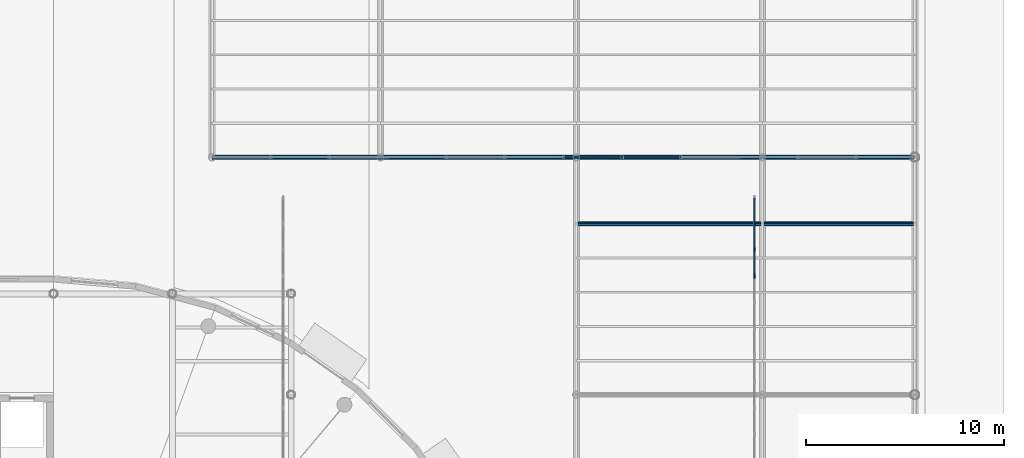
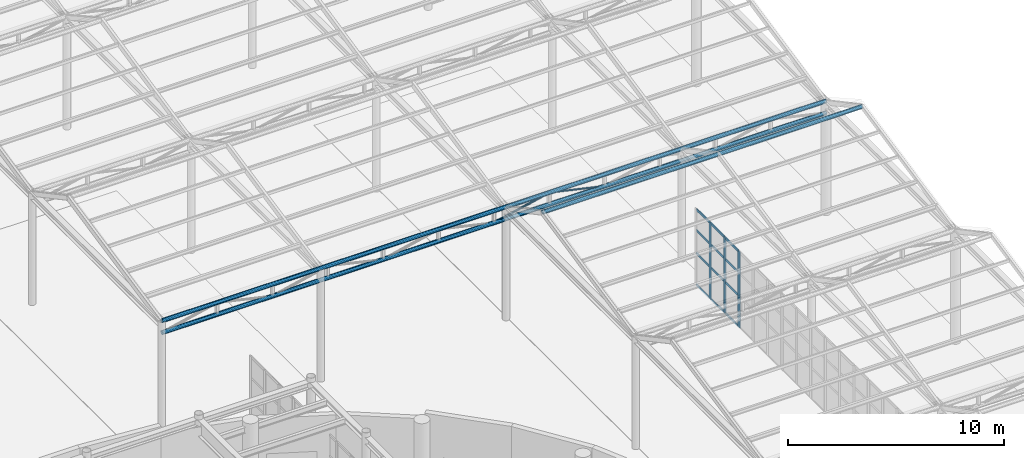
# One storey, part 46 of 118: 21 members, 2 elements without a shape of their own.
"""IFC4 building model written with IfcOpenShell, lengths in metres."""

import ifcopenshell
import ifcopenshell.guid

model = None  # the IFC model being written
_history = None  # IfcOwnerHistory: only IFC2X3 demands one
_inside = {}  # id of a spatial element -> (the spatial element, [elements in it])
_under = {}  # id of a project, library or spatial element -> (it, [spatial elements below it])
_declared = {}  # id of a project -> (the project, [libraries it declares])
_typed = {}  # id of a type object -> (the type object, [elements of that type])
_made_of = {}  # id of a material, layer set ... -> (it, [elements and type objects made of it])


def new_model(schema):
    """Start an empty IFC model of exactly this schema.

    Asked for "IFC4X3", IfcOpenShell would pick the latest addendum, in which some entities
    have other attributes; the version numbers below select the first issue.
    IFC2X3 requires an IfcOwnerHistory on every rooted entity: one is made here for all.
    """
    global model, _history
    if schema == "IFC4X3":
        model = ifcopenshell.file(schema_version=(4, 3, 0, 0))
    else:
        model = ifcopenshell.file(schema=schema)
    _inside.clear()
    _under.clear()
    _declared.clear()
    _typed.clear()
    _made_of.clear()
    _history = None
    if model.schema == "IFC2X3":
        org = make("IfcOrganization", Name="unknown")
        user = make(
            "IfcPersonAndOrganization",
            ThePerson=make("IfcPerson", FamilyName="unknown"),
            TheOrganization=org,
        )
        app = make(
            "IfcApplication",
            ApplicationDeveloper=org,
            Version="unknown",
            ApplicationFullName="unknown",
            ApplicationIdentifier="unknown",
        )
        _history = make(
            "IfcOwnerHistory",
            OwningUser=user,
            OwningApplication=app,
            ChangeAction="ADDED",
            CreationDate=0,
        )
    return model


def make(cls, **values):
    """One entity of the class cls with the attributes given. An attribute that is None is left unset."""
    return model.create_entity(
        cls, **{name: value for name, value in values.items() if value is not None}
    )


def rooted(cls, **values):
    """An entity with a GlobalId (a new one), such as an element, a storey or a relation."""
    return make(cls, GlobalId=ifcopenshell.guid.new(), OwnerHistory=_history, **values)


def si_unit(unit_type, name, prefix=None):
    """IfcSIUnit, for example si_unit("LENGTHUNIT", "METRE", prefix="MILLI")."""
    return make("IfcSIUnit", UnitType=unit_type, Prefix=prefix, Name=name)


def assignment(units):
    """IfcUnitAssignment: the units of a project."""
    return None if units is None else make("IfcUnitAssignment", Units=units)


def point(xyz):
    """IfcCartesianPoint."""
    return None if xyz is None else make("IfcCartesianPoint", Coordinates=xyz)


def direction(xyz):
    """IfcDirection."""
    return None if xyz is None else make("IfcDirection", DirectionRatios=xyz)


def frame(location, z_axis=None, x_axis=None):
    """IfcAxis2Placement3D, a coordinate frame: its origin and axes. An axis left out is left unset."""
    return make(
        "IfcAxis2Placement3D",
        Location=point(location),
        Axis=direction(z_axis),
        RefDirection=direction(x_axis),
    )


def frame_2d(location, x_axis=None):
    """IfcAxis2Placement2D, a coordinate frame in the plane: its origin and x axis."""
    return make(
        "IfcAxis2Placement2D", Location=point(location), RefDirection=direction(x_axis)
    )


def origin():
    """The frame at (0, 0, 0) with its axes left unset."""
    return frame((0.0, 0.0, 0.0))


def origin_2d():
    """The frame at (0, 0) in the plane with its x axis left unset."""
    return frame_2d((0.0, 0.0))


def place(relative_to, where):
    """IfcLocalPlacement: puts the frame where relative to a parent placement (None: the world)."""
    return make(
        "IfcLocalPlacement", PlacementRelTo=relative_to, RelativePlacement=where
    )


def context(
    kind, dimensions, precision=None, world=None, true_north=None, identifier=None
):
    """IfcGeometricRepresentationContext, for example the 3D "Model" context."""
    return make(
        "IfcGeometricRepresentationContext",
        ContextIdentifier=identifier,
        ContextType=kind,
        CoordinateSpaceDimension=dimensions,
        Precision=precision,
        WorldCoordinateSystem=world,
        TrueNorth=true_north,
    )


def subcontext(parent, identifier, kind, view, scale=None):
    """IfcGeometricRepresentationSubContext, for example "Body" below "Model"."""
    return make(
        "IfcGeometricRepresentationSubContext",
        ContextIdentifier=identifier,
        ContextType=kind,
        ParentContext=parent,
        TargetScale=scale,
        TargetView=view,
    )


def project(units=None, contexts=None):
    """IfcProject with its units and contexts."""
    return rooted(
        "IfcProject",
        Name="project",
        RepresentationContexts=contexts,
        UnitsInContext=assignment(units),
    )


def spatial(cls, under=None, at=None, **own):
    """A site, building, storey or space (cls), placed at a placement, below another one or the project."""
    s = rooted(cls, ObjectPlacement=at, **own)
    if under is not None:
        _under.setdefault(under.id(), (under, []))[1].append(s)
    return s


def profile(cls, at=None, kind="AREA", **sizes):
    """A parametric profile (cls). Its sizes go by their IFC names, for example OverallWidth=200.0."""
    return make(cls, ProfileType=kind, Position=at, **sizes)


def rectangle(**sizes):
    """IfcRectangleProfileDef."""
    return profile("IfcRectangleProfileDef", **sizes)


def hollow_circle(**sizes):
    """IfcCircleHollowProfileDef."""
    return profile("IfcCircleHollowProfileDef", **sizes)


def extrude(swept, where, along, depth):
    """IfcExtrudedAreaSolid: the profile swept, set in the frame where, extruded along a direction by depth."""
    return make(
        "IfcExtrudedAreaSolid",
        SweptArea=swept,
        Position=where,
        ExtrudedDirection=direction(along),
        Depth=depth,
    )


def shape(context_of_items, identifier, shape_type, items):
    """IfcShapeRepresentation: the items that make up one representation, for example the "Body"."""
    return make(
        "IfcShapeRepresentation",
        ContextOfItems=context_of_items,
        RepresentationIdentifier=identifier,
        RepresentationType=shape_type,
        Items=items,
    )


def material(Name=None, Category=None):
    """IfcMaterial."""
    return make("IfcMaterial", Name=Name, Category=Category)


def material_profile(
    of_material, cross_section, Name=None, Category=None, Priority=None
):
    """IfcMaterialProfile: a cross section and its material."""
    return make(
        "IfcMaterialProfile",
        Name=Name,
        Material=of_material,
        Profile=cross_section,
        Priority=Priority,
        Category=Category,
    )


def profile_set(profiles, Name=None, composite=None):
    """IfcMaterialProfileSet."""
    return make(
        "IfcMaterialProfileSet",
        Name=Name,
        MaterialProfiles=profiles,
        CompositeProfile=composite,
    )


def made_of(thing, what):
    """Note that an element or type object is made of a material, layer set ...; save() writes the relation."""
    if what is not None:
        _made_of.setdefault(what.id(), (what, []))[1].append(thing)
    return thing


def type_object(cls, material=None, **own):
    """A type object (cls), such as IfcWallType, which elements share."""
    return made_of(rooted(cls, **own), material)


def element(
    cls,
    number,
    at=None,
    inside=None,
    cuts=None,
    type_object=None,
    material=None,
    context=None,
    identifier="Body",
    shape_type=None,
    held_by="IfcProductDefinitionShape",
    body=None,
    shapes=None,
    **own,
):
    """One element of the class cls, such as IfcWall. Its Tag is "e" and its number.

    at: its placement. inside: the storey or other place that contains it. cuts: it is an
    opening in that element (IfcRelVoidsElement). A single representation is given by context,
    identifier, shape_type and body (its items); several are given by shapes. held_by: the class
    of the entity that holds the representations. save() writes the other relations.
    """
    e = rooted(cls, Tag="e%d" % number, ObjectPlacement=at, **own)
    if body is not None:
        shapes = [shape(context, identifier, shape_type, body)]
    if shapes is not None:
        e.Representation = make(held_by, Representations=shapes)
    if inside is not None:
        _inside.setdefault(inside.id(), (inside, []))[1].append(e)
    if cuts is not None:
        rooted(
            "IfcRelVoidsElement", RelatingBuildingElement=cuts, RelatedOpeningElement=e
        )
    if type_object is not None:
        _typed.setdefault(type_object.id(), (type_object, []))[1].append(e)
    return made_of(e, material)


def aggregate(whole, parts):
    """IfcRelAggregates: a whole, such as a stair, and the parts it consists of."""
    return rooted("IfcRelAggregates", RelatingObject=whole, RelatedObjects=parts)


def save(model, path):
    """Write the relations noted so far, then the file.

    IfcRelAggregates (storeys below a building ...), IfcRelContainedInSpatialStructure (elements
    in a storey), IfcRelDefinesByType, IfcRelAssociatesMaterial and IfcRelDeclares: one each for
    every whole, place, type object, material and project.
    """
    for whole, parts in _under.values():
        aggregate(whole, parts)
    for where, things in _inside.values():
        rooted(
            "IfcRelContainedInSpatialStructure",
            RelatedElements=things,
            RelatingStructure=where,
        )
    for kind, things in _typed.values():
        rooted("IfcRelDefinesByType", RelatedObjects=things, RelatingType=kind)
    for what, things in _made_of.values():
        rooted("IfcRelAssociatesMaterial", RelatedObjects=things, RelatingMaterial=what)
    for by, libraries in _declared.values():
        rooted("IfcRelDeclares", RelatingContext=by, RelatedDefinitions=libraries)
    model.write(path)


model = new_model("IFC4")

# Units and contexts
model_context = context("Model", 3, precision=1e-05, world=origin(), true_north=direction((0.0, 1.0)))
body_context = subcontext(model_context, "Body", "Model", "MODEL_VIEW")
ifc_project = project(units=[si_unit("LENGTHUNIT", "METRE"), si_unit("AREAUNIT", "SQUARE_METRE"), si_unit("VOLUMEUNIT", "CUBIC_METRE"), si_unit("PLANEANGLEUNIT", "RADIAN"), si_unit("MASSUNIT", "GRAM", prefix="KILO")], contexts=[model_context])

# Site, building, storey
site_placement = place(None, origin())
site = spatial("IfcSite", under=ifc_project, at=site_placement, CompositionType="ELEMENT")
building_placement = place(site_placement, origin())
building = spatial("IfcBuilding", under=site, at=building_placement, Name="Kolvaren Corner Interchange", CompositionType="ELEMENT")
storey_placement = place(building_placement, origin())
storey = spatial("IfcBuildingStorey", under=building, at=storey_placement, Name="L01", CompositionType="ELEMENT", Elevation=0.0)

# Members
ifc_material_1 = material(Name="Steel S355", Category="steel")
ifc_material_profile_1 = material_profile(ifc_material_1, hollow_circle(Radius=0.05712890625, WallThickness=0.00634765625, at=origin_2d()), Name="CHS 114.3x6.3")
ifc_profile_set_1 = profile_set([ifc_material_profile_1], Name="Steel S355")
member_type_1 = type_object("IfcMemberType", Name="MEM-BR-CHS114", PredefinedType="BRACE", material=ifc_profile_set_1)
member_1_placement = place(storey_placement, frame((145.75, 78.0, 5.64990234375), z_axis=(0.97528679841, 0.0, 0.220942664161), x_axis=(0.0, 1.0, 0.0)))
element("IfcMember", 1, at=member_1_placement, inside=storey, type_object=member_type_1, Name="Bus Canopy Sawtooth Roof Truss 04 Web Diagonal 07", PredefinedType="BRACE", context=body_context, shape_type="SweptSolid", body=[
    extrude(hollow_circle(Radius=0.05712890625, WallThickness=0.00634765625, at=origin_2d()), origin(), (0.0, 0.0, 1.0), 3.033203125),
])
ifc_material_2 = material(Name="Steel S355", Category="steel")
ifc_material_profile_2 = material_profile(ifc_material_2, hollow_circle(Radius=0.04443359375, WallThickness=0.0048828125, at=origin_2d()), Name="CHS 88.9x5.0")
ifc_profile_set_2 = profile_set([ifc_material_profile_2], Name="Steel S355")
member_type_2 = type_object("IfcMemberType", Name="MEM-BR-CHS89", PredefinedType="BRACE", material=ifc_profile_set_2)
member_2_placement = place(storey_placement, frame((148.708251953125, 78.0, 6.320068359375), z_axis=(0.975290727078, 0.0, -0.220925321491), x_axis=(0.0, 1.0, 0.0)))
element("IfcMember", 2, at=member_2_placement, inside=storey, type_object=member_type_2, Name="Bus Canopy Sawtooth Roof Truss 04 Web Diagonal 08", PredefinedType="BRACE", context=body_context, shape_type="SweptSolid", body=[
    extrude(hollow_circle(Radius=0.04443359375, WallThickness=0.0048828125, at=origin_2d()), origin(), (0.0, 0.0, 1.0), 3.033447265625),
])
ifc_material_3 = material(Name="Steel S355", Category="steel")
ifc_material_profile_3 = material_profile(ifc_material_3, hollow_circle(Radius=0.109619140625, WallThickness=0.010009765625, at=origin_2d()), Name="CHS 219.1x10.0")
ifc_profile_set_3 = profile_set([ifc_material_profile_3], Name="Steel S355")
member_type_3 = type_object("IfcMemberType", Name="MEM-CH-CHS219", PredefinedType="CHORD", material=ifc_profile_set_3)
for number, where, z_axis, x_axis, name in (
    (3, (128.0, 78.0, 5.64990234375), (1.0, 0.0, 0.0), (0.0, 1.0, 0.0), "Bus Canopy Sawtooth Roof Truss 04 Bottom Chord"),
    (4, (128.0, 78.0, 6.320068359375), (1.0, 0.0, 0.0), (0.0, 1.0, 0.0), "Bus Canopy Sawtooth Roof Truss 04 Top Chord"),
):
    element("IfcMember", number, at=place(storey_placement, frame(where, z_axis=z_axis, x_axis=x_axis)), inside=storey, type_object=member_type_3, Name=name, PredefinedType="CHORD", context=body_context, shape_type="SweptSolid", body=[
        extrude(hollow_circle(Radius=0.109619140625, WallThickness=0.010009765625, at=origin_2d()), origin(), (0.0, 0.0, 1.0), 35.5),
    ])
member_3_placement = place(storey_placement, frame((146.39990234375, 74.639892578125, 8.050048828125), z_axis=(1.0, 0.0, 0.0), x_axis=(0.0, 1.0, 0.0)))
element("IfcMember", 5, at=member_3_placement, inside=storey, type_object=member_type_3, Name="Bus Canopy Sawtooth Roof Truss Ridge Chord 03", PredefinedType="CHORD", context=body_context, shape_type="SweptSolid", body=[
    extrude(hollow_circle(Radius=0.109619140625, WallThickness=0.010009765625, at=origin_2d()), origin(), (0.0, 0.0, 1.0), 17.10009765625),
])

# Curtain wall, member
ifc_material_4 = material(Name="Unitised Aluminium and Solar-Control Glass Curtain Wall", Category="aluminium")
curtain_wall_type = type_object("IfcCurtainWallType", Name="CW-V4-BOARD", PredefinedType="NOTDEFINED", material=ifc_material_4)
curtain_wall_1_placement = place(storey_placement, origin())
curtain_wall_1 = element("IfcCurtainWall", 6, at=curtain_wall_1_placement, inside=storey, type_object=curtain_wall_type, Name="Bus Island East Boarding Curtain Wall Bay 11", PredefinedType="NOTDEFINED")
ifc_material_5 = material(Name="Anodised Aluminium Framing", Category="aluminium")
ifc_material_profile_4 = material_profile(ifc_material_5, rectangle(XDim=0.06005859375, YDim=0.179931640625, at=origin_2d()), Name="ALU 60x180")
ifc_profile_set_4 = profile_set([ifc_material_profile_4], Name="Anodised Aluminium Framing")
member_type_4 = type_object("IfcMemberType", Name="MUL-ALU60x180", PredefinedType="MULLION", material=ifc_profile_set_4)
member_4_placement = place(storey_placement, frame((155.39990234375, 71.969970703125, 0.0), z_axis=(0.0, 0.0, 1.0), x_axis=(-1.0, 0.0, 0.0)))
member_4 = element("IfcMember", 7, at=member_4_placement, type_object=member_type_4, Name="CW-148 mullion 4", PredefinedType="MULLION", context=body_context, shape_type="SweptSolid", body=[
    extrude(rectangle(XDim=0.06005859375, YDim=0.179931640625, at=origin_2d()), origin(), (0.0, 0.0, 1.0), 4.300048828125),
])
aggregate(curtain_wall_1, [member_4])

# Curtain wall, members
curtain_wall_2_placement = place(storey_placement, origin())
curtain_wall_2 = element("IfcCurtainWall", 8, at=curtain_wall_2_placement, inside=storey, type_object=curtain_wall_type, Name="Bus Island East Boarding Curtain Wall Bay 12", PredefinedType="NOTDEFINED")
member_5_placement = place(storey_placement, frame((155.39990234375, 72.030029296875, 0.0), z_axis=(0.0, 0.0, 1.0), x_axis=(-1.0, 0.0, 0.0)))
member_5 = element("IfcMember", 9, at=member_5_placement, type_object=member_type_4, Name="CW-149 mullion 1", PredefinedType="MULLION", context=body_context, shape_type="SweptSolid", body=[
    extrude(rectangle(XDim=0.06005859375, YDim=0.179931640625, at=origin_2d()), origin(), (0.0, 0.0, 1.0), 4.300048828125),
])
member_6_placement = place(storey_placement, frame((155.39990234375, 73.333251953125, 0.0), z_axis=(0.0, 0.0, 1.0), x_axis=(-1.0, 0.0, 0.0)))
member_6 = element("IfcMember", 10, at=member_6_placement, type_object=member_type_4, Name="CW-149 mullion 2", PredefinedType="MULLION", context=body_context, shape_type="SweptSolid", body=[
    extrude(rectangle(XDim=0.06005859375, YDim=0.179931640625, at=origin_2d()), origin(), (0.0, 0.0, 1.0), 4.300048828125),
])
member_7_placement = place(storey_placement, frame((155.39990234375, 74.666748046875, 0.0), z_axis=(0.0, 0.0, 1.0), x_axis=(-1.0, 0.0, 0.0)))
member_7 = element("IfcMember", 11, at=member_7_placement, type_object=member_type_4, Name="CW-149 mullion 3", PredefinedType="MULLION", context=body_context, shape_type="SweptSolid", body=[
    extrude(rectangle(XDim=0.06005859375, YDim=0.179931640625, at=origin_2d()), origin(), (0.0, 0.0, 1.0), 4.300048828125),
])
ifc_material_6 = material(Name="Anodised Aluminium Framing", Category="aluminium")
ifc_material_profile_5 = material_profile(ifc_material_6, rectangle(XDim=0.054931640625, YDim=0.1201171875, at=origin_2d()), Name="ALU 55x120")
ifc_profile_set_5 = profile_set([ifc_material_profile_5], Name="Anodised Aluminium Framing")
member_type_5 = type_object("IfcMemberType", Name="TRN-ALU55x120", PredefinedType="USERDEFINED", material=ifc_profile_set_5)
member_8_placement = place(storey_placement, frame((155.39990234375, 72.06005859375, 0.027587890625), z_axis=(0.0, 1.0, 0.0), x_axis=(-1.0, 0.0, 0.0)))
member_8 = element("IfcMember", 12, at=member_8_placement, type_object=member_type_5, Name="CW-149 transom 1.1", ObjectType="TRANSOM", PredefinedType="USERDEFINED", context=body_context, shape_type="SweptSolid", body=[
    extrude(rectangle(XDim=0.054931640625, YDim=0.1201171875, at=origin_2d()), origin(), (0.0, 0.0, 1.0), 1.2431640625),
])
member_9_placement = place(storey_placement, frame((155.39990234375, 72.06005859375, 1.800048828125), z_axis=(0.0, 1.0, 0.0), x_axis=(-1.0, 0.0, 0.0)))
member_9 = element("IfcMember", 13, at=member_9_placement, type_object=member_type_5, Name="CW-149 transom 1.2", ObjectType="TRANSOM", PredefinedType="USERDEFINED", context=body_context, shape_type="SweptSolid", body=[
    extrude(rectangle(XDim=0.054931640625, YDim=0.1201171875, at=origin_2d()), origin(), (0.0, 0.0, 1.0), 1.2431640625),
])
member_10_placement = place(storey_placement, frame((155.39990234375, 72.06005859375, 3.10009765625), z_axis=(0.0, 1.0, 0.0), x_axis=(-1.0, 0.0, 0.0)))
member_10 = element("IfcMember", 14, at=member_10_placement, type_object=member_type_5, Name="CW-149 transom 1.3", ObjectType="TRANSOM", PredefinedType="USERDEFINED", context=body_context, shape_type="SweptSolid", body=[
    extrude(rectangle(XDim=0.054931640625, YDim=0.1201171875, at=origin_2d()), origin(), (0.0, 0.0, 1.0), 1.2431640625),
])
member_11_placement = place(storey_placement, frame((155.39990234375, 72.06005859375, 4.2724609375), z_axis=(0.0, 1.0, 0.0), x_axis=(-1.0, 0.0, 0.0)))
member_11 = element("IfcMember", 15, at=member_11_placement, type_object=member_type_5, Name="CW-149 transom 1.4", ObjectType="TRANSOM", PredefinedType="USERDEFINED", context=body_context, shape_type="SweptSolid", body=[
    extrude(rectangle(XDim=0.054931640625, YDim=0.1201171875, at=origin_2d()), origin(), (0.0, 0.0, 1.0), 1.2431640625),
])
member_12_placement = place(storey_placement, frame((155.39990234375, 73.36328125, 0.027587890625), z_axis=(0.0, 1.0, 0.0), x_axis=(-1.0, 0.0, 0.0)))
member_12 = element("IfcMember", 16, at=member_12_placement, type_object=member_type_5, Name="CW-149 transom 2.1", ObjectType="TRANSOM", PredefinedType="USERDEFINED", context=body_context, shape_type="SweptSolid", body=[
    extrude(rectangle(XDim=0.054931640625, YDim=0.1201171875, at=origin_2d()), origin(), (0.0, 0.0, 1.0), 1.2734375),
])
member_13_placement = place(storey_placement, frame((155.39990234375, 73.36328125, 1.800048828125), z_axis=(0.0, 1.0, 0.0), x_axis=(-1.0, 0.0, 0.0)))
member_13 = element("IfcMember", 17, at=member_13_placement, type_object=member_type_5, Name="CW-149 transom 2.2", ObjectType="TRANSOM", PredefinedType="USERDEFINED", context=body_context, shape_type="SweptSolid", body=[
    extrude(rectangle(XDim=0.054931640625, YDim=0.1201171875, at=origin_2d()), origin(), (0.0, 0.0, 1.0), 1.2734375),
])
member_14_placement = place(storey_placement, frame((155.39990234375, 73.36328125, 3.10009765625), z_axis=(0.0, 1.0, 0.0), x_axis=(-1.0, 0.0, 0.0)))
member_14 = element("IfcMember", 18, at=member_14_placement, type_object=member_type_5, Name="CW-149 transom 2.3", ObjectType="TRANSOM", PredefinedType="USERDEFINED", context=body_context, shape_type="SweptSolid", body=[
    extrude(rectangle(XDim=0.054931640625, YDim=0.1201171875, at=origin_2d()), origin(), (0.0, 0.0, 1.0), 1.2734375),
])
member_15_placement = place(storey_placement, frame((155.39990234375, 73.36328125, 4.2724609375), z_axis=(0.0, 1.0, 0.0), x_axis=(-1.0, 0.0, 0.0)))
member_15 = element("IfcMember", 19, at=member_15_placement, type_object=member_type_5, Name="CW-149 transom 2.4", ObjectType="TRANSOM", PredefinedType="USERDEFINED", context=body_context, shape_type="SweptSolid", body=[
    extrude(rectangle(XDim=0.054931640625, YDim=0.1201171875, at=origin_2d()), origin(), (0.0, 0.0, 1.0), 1.2734375),
])
member_16_placement = place(storey_placement, frame((155.39990234375, 74.69677734375, 0.027587890625), z_axis=(0.0, 1.0, 0.0), x_axis=(-1.0, 0.0, 0.0)))
member_16 = element("IfcMember", 20, at=member_16_placement, type_object=member_type_5, Name="CW-149 transom 3.1", ObjectType="TRANSOM", PredefinedType="USERDEFINED", context=body_context, shape_type="SweptSolid", body=[
    extrude(rectangle(XDim=0.054931640625, YDim=0.1201171875, at=origin_2d()), origin(), (0.0, 0.0, 1.0), 1.2431640625),
])
member_17_placement = place(storey_placement, frame((155.39990234375, 74.69677734375, 1.800048828125), z_axis=(0.0, 1.0, 0.0), x_axis=(-1.0, 0.0, 0.0)))
member_17 = element("IfcMember", 21, at=member_17_placement, type_object=member_type_5, Name="CW-149 transom 3.2", ObjectType="TRANSOM", PredefinedType="USERDEFINED", context=body_context, shape_type="SweptSolid", body=[
    extrude(rectangle(XDim=0.054931640625, YDim=0.1201171875, at=origin_2d()), origin(), (0.0, 0.0, 1.0), 1.2431640625),
])
member_18_placement = place(storey_placement, frame((155.39990234375, 74.69677734375, 3.10009765625), z_axis=(0.0, 1.0, 0.0), x_axis=(-1.0, 0.0, 0.0)))
member_18 = element("IfcMember", 22, at=member_18_placement, type_object=member_type_5, Name="CW-149 transom 3.3", ObjectType="TRANSOM", PredefinedType="USERDEFINED", context=body_context, shape_type="SweptSolid", body=[
    extrude(rectangle(XDim=0.054931640625, YDim=0.1201171875, at=origin_2d()), origin(), (0.0, 0.0, 1.0), 1.2431640625),
])
member_19_placement = place(storey_placement, frame((155.39990234375, 74.69677734375, 4.2724609375), z_axis=(0.0, 1.0, 0.0), x_axis=(-1.0, 0.0, 0.0)))
member_19 = element("IfcMember", 23, at=member_19_placement, type_object=member_type_5, Name="CW-149 transom 3.4", ObjectType="TRANSOM", PredefinedType="USERDEFINED", context=body_context, shape_type="SweptSolid", body=[
    extrude(rectangle(XDim=0.054931640625, YDim=0.1201171875, at=origin_2d()), origin(), (0.0, 0.0, 1.0), 1.2431640625),
])
aggregate(curtain_wall_2, [member_5, member_6, member_7, member_8, member_9, member_10, member_11, member_12, member_13, member_14, member_15, member_16, member_17, member_18, member_19])

save(model, "model.ifc")
